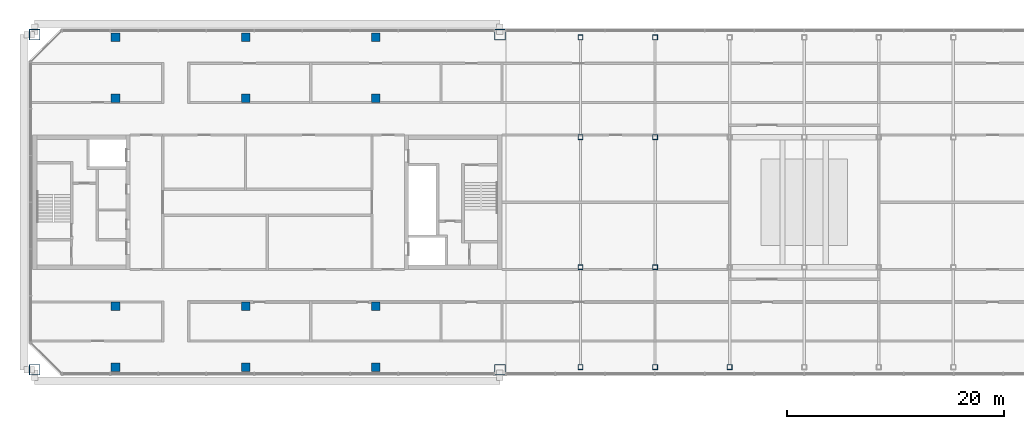
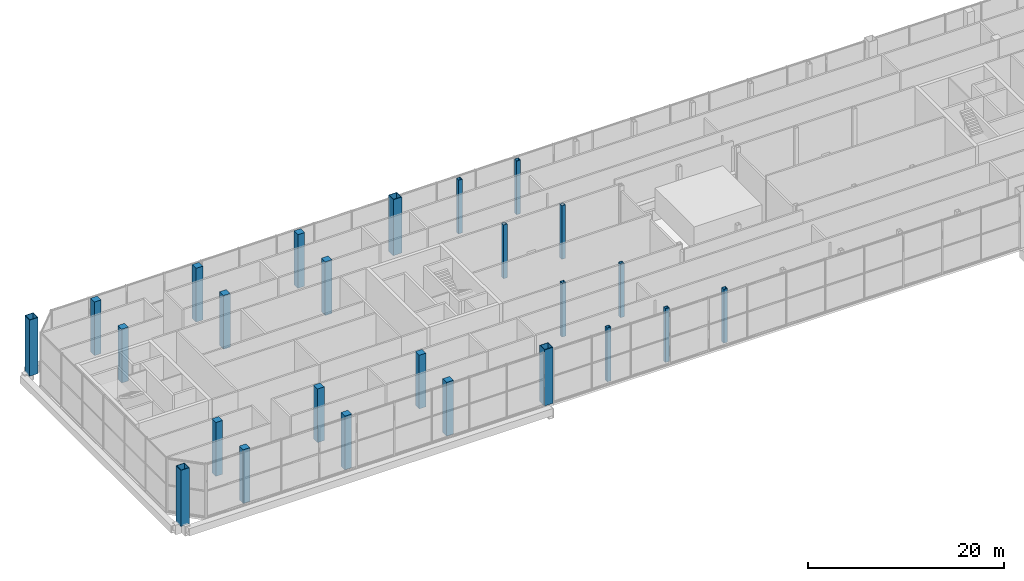
# One storey, part 1 of 27: 25 columns.
"""IFC4 building model written with IfcOpenShell, lengths in metres."""

from ifc_helpers import new_model, si_unit, direction, frame, origin, origin_2d, place, context, subcontext, project, spatial, rectangle, hollow_rectangle, extrude, material, material_profile, profile_set, type_object, element, save


model = new_model("IFC4")

# Units and contexts
model_context = context("Model", 3, precision=1e-05, world=origin(), true_north=direction((0.0, 1.0)))
body_context = subcontext(model_context, "Body", "Model", "MODEL_VIEW")
ifc_project = project(units=[si_unit("LENGTHUNIT", "METRE"), si_unit("AREAUNIT", "SQUARE_METRE"), si_unit("VOLUMEUNIT", "CUBIC_METRE"), si_unit("PLANEANGLEUNIT", "RADIAN"), si_unit("MASSUNIT", "GRAM", prefix="KILO")], contexts=[model_context])

# Site, building, storey
site_placement = place(None, origin())
site = spatial("IfcSite", under=ifc_project, at=site_placement, CompositionType="ELEMENT")
building_placement = place(site_placement, origin())
building = spatial("IfcBuilding", under=site, at=building_placement, Name="Tuart Gate Housing", CompositionType="ELEMENT")
storey_placement = place(building_placement, frame((0.0, 0.0, 236.89990234375)))
storey = spatial("IfcBuildingStorey", under=building, at=storey_placement, Name="L67", CompositionType="ELEMENT", Elevation=236.89990234375)

# Columns
ifc_material_1 = material(Name="Steel Grade 350", Category="steel")
ifc_material_profile_1 = material_profile(ifc_material_1, hollow_rectangle(XDim=0.449951171875, YDim=0.449951171875, WallThickness=0.02490234375, at=origin_2d()), Name="BOX 450x450x25")
ifc_profile_set_1 = profile_set([ifc_material_profile_1], Name="Steel Grade 350")
column_type_1 = type_object("IfcColumnType", Name="Link column BOX 450x450x25", PredefinedType="COLUMN", material=ifc_profile_set_1)
for number, where, z_axis, x_axis, name in (
    (1, (82.875, 54.800048828125, 0.0), (0.0, 0.0, 1.0), (1.0, 0.0, 0.0), "Link column line 1 point 1 L67"),
    (2, (89.75, 54.800048828125, 0.0), (0.0, 0.0, 1.0), (1.0, 0.0, 0.0), "Link column line 1 point 2 L67"),
    (3, (96.625, 54.800048828125, 0.0), (0.0, 0.0, 1.0), (1.0, 0.0, 0.0), "Link column line 1 point 3 L67"),
    (4, (82.875, 64.0, 0.0), (0.0, 0.0, 1.0), (1.0, 0.0, 0.0), "Link column line 2 point 1 L67"),
    (5, (89.75, 64.0, 0.0), (0.0, 0.0, 1.0), (1.0, 0.0, 0.0), "Link column line 2 point 2 L67"),
    (6, (82.875, 76.0, 0.0), (0.0, 0.0, 1.0), (1.0, 0.0, 0.0), "Link column line 3 point 1 L67"),
    (7, (89.75, 76.0, 0.0), (0.0, 0.0, 1.0), (1.0, 0.0, 0.0), "Link column line 3 point 2 L67"),
    (8, (82.875, 85.199951171875, 0.0), (0.0, 0.0, 1.0), (1.0, 0.0, 0.0), "Link column line 4 point 1 L67"),
    (9, (89.75, 85.199951171875, 0.0), (0.0, 0.0, 1.0), (1.0, 0.0, 0.0), "Link column line 4 point 2 L67"),
):
    element("IfcColumn", number, at=place(storey_placement, frame(where, z_axis=z_axis, x_axis=x_axis)), inside=storey, type_object=column_type_1, Name=name, PredefinedType="COLUMN", context=body_context, shape_type="SweptSolid", body=[
        extrude(hollow_rectangle(XDim=0.449951171875, YDim=0.449951171875, WallThickness=0.02490234375, at=origin_2d()), origin(), (0.0, 0.0, 1.0), 6.7001953125),
    ])
ifc_material_2 = material(Name="Steel Grade 350", Category="steel")
ifc_material_profile_2 = material_profile(ifc_material_2, hollow_rectangle(XDim=1.0, YDim=1.0, WallThickness=0.054931640625, at=origin_2d()), Name="BOX 1000x1000x55")
ifc_profile_set_2 = profile_set([ifc_material_profile_2], Name="Steel Grade 350")
column_type_2 = type_object("IfcColumnType", Name="Mega column BOX 1000x1000x55 (6.2-7.0 m)", PredefinedType="COLUMN", material=ifc_profile_set_2)
for number, where, z_axis, x_axis, name in (
    (10, (32.550048828125, 54.550048828125, 0.0), (0.0, 0.0, 1.0), (1.0, 0.0, 0.0), "Mega column A south-west L67"),
    (11, (75.449951171875, 54.550048828125, 0.0), (0.0, 0.0, 1.0), (1.0, 0.0, 0.0), "Mega column A south-east L67"),
    (12, (75.449951171875, 85.449951171875, 0.0), (0.0, 0.0, 1.0), (1.0, 0.0, 0.0), "Mega column A north-east L67"),
    (13, (32.550048828125, 85.449951171875, 0.0), (0.0, 0.0, 1.0), (1.0, 0.0, 0.0), "Mega column A north-west L67"),
):
    element("IfcColumn", number, at=place(storey_placement, frame(where, z_axis=z_axis, x_axis=x_axis)), inside=storey, type_object=column_type_2, Name=name, PredefinedType="COLUMN", context=body_context, shape_type="SweptSolid", body=[
        extrude(hollow_rectangle(XDim=1.0, YDim=1.0, WallThickness=0.054931640625, at=origin_2d()), origin(), (0.0, 0.0, 1.0), 7.0),
    ])
ifc_material_3 = material(Name="Concrete C50", Category="concrete")
ifc_material_profile_3 = material_profile(ifc_material_3, rectangle(XDim=0.800048828125, YDim=0.800048828125, at=origin_2d()), Name="RC column 800 x 800 (5.6-6.7 m)")
ifc_profile_set_3 = profile_set([ifc_material_profile_3], Name="Concrete C50")
column_type_3 = type_object("IfcColumnType", Name="RC column 800 x 800 (5.6-6.7 m)", PredefinedType="COLUMN", material=ifc_profile_set_3)
for number, where, z_axis, x_axis, name in (
    (14, (40.0, 54.800048828125, 0.0), (0.0, 0.0, 1.0), (1.0, 0.0, 0.0), "RC column 9 L67"),
    (15, (40.0, 60.39990234375, 0.0), (0.0, 0.0, 1.0), (1.0, 0.0, 0.0), "RC column 12 L67"),
    (16, (40.0, 79.60009765625, 0.0), (0.0, 0.0, 1.0), (1.0, 0.0, 0.0), "RC column 13 L67"),
    (17, (40.0, 85.199951171875, 0.0), (0.0, 0.0, 1.0), (1.0, 0.0, 0.0), "RC column 16 L67"),
    (18, (52.0, 54.800048828125, 0.0), (0.0, 0.0, 1.0), (1.0, 0.0, 0.0), "RC column 17 L67"),
    (19, (52.0, 60.39990234375, 0.0), (0.0, 0.0, 1.0), (1.0, 0.0, 0.0), "RC column 18 L67"),
    (20, (52.0, 79.60009765625, 0.0), (0.0, 0.0, 1.0), (1.0, 0.0, 0.0), "RC column 19 L67"),
    (21, (52.0, 85.199951171875, 0.0), (0.0, 0.0, 1.0), (1.0, 0.0, 0.0), "RC column 20 L67"),
    (22, (64.0, 54.800048828125, 0.0), (0.0, 0.0, 1.0), (1.0, 0.0, 0.0), "RC column 21 L67"),
    (23, (64.0, 60.39990234375, 0.0), (0.0, 0.0, 1.0), (1.0, 0.0, 0.0), "RC column 22 L67"),
    (24, (64.0, 79.60009765625, 0.0), (0.0, 0.0, 1.0), (1.0, 0.0, 0.0), "RC column 23 L67"),
    (25, (64.0, 85.199951171875, 0.0), (0.0, 0.0, 1.0), (1.0, 0.0, 0.0), "RC column 24 L67"),
):
    element("IfcColumn", number, at=place(storey_placement, frame(where, z_axis=z_axis, x_axis=x_axis)), inside=storey, type_object=column_type_3, Name=name, PredefinedType="COLUMN", context=body_context, shape_type="SweptSolid", body=[
        extrude(rectangle(XDim=0.800048828125, YDim=0.800048828125, at=origin_2d()), origin(), (0.0, 0.0, 1.0), 6.7001953125),
    ])

save(model, "model.ifc")
